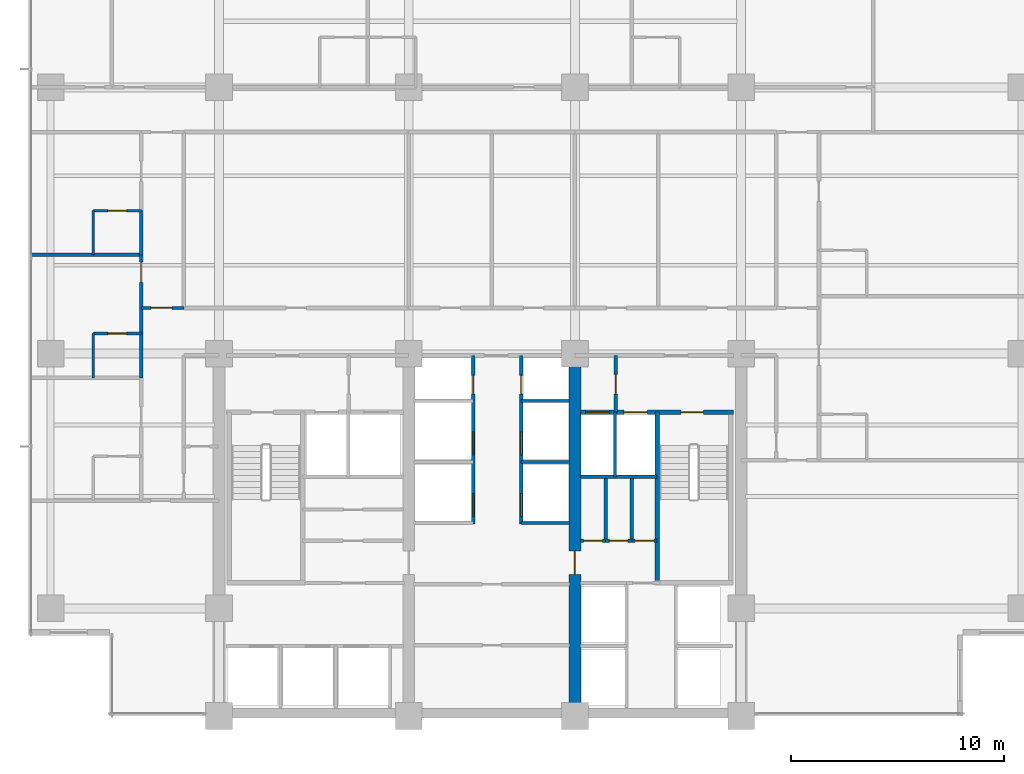
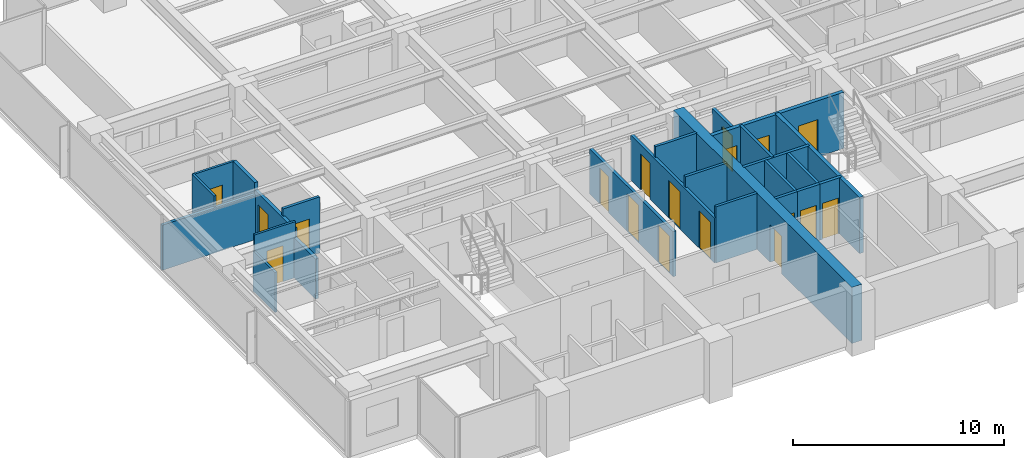
# One storey, part 9 of 17: 25 walls, 18 doors, 18 openings.
"""IFC4 building model written with IfcOpenShell, lengths in metres."""

import ifcopenshell
import ifcopenshell.guid

model = None  # the IFC model being written
_history = None  # IfcOwnerHistory: only IFC2X3 demands one
_inside = {}  # id of a spatial element -> (the spatial element, [elements in it])
_under = {}  # id of a project, library or spatial element -> (it, [spatial elements below it])
_declared = {}  # id of a project -> (the project, [libraries it declares])
_typed = {}  # id of a type object -> (the type object, [elements of that type])
_made_of = {}  # id of a material, layer set ... -> (it, [elements and type objects made of it])


def new_model(schema):
    """Start an empty IFC model of exactly this schema.

    Asked for "IFC4X3", IfcOpenShell would pick the latest addendum, in which some entities
    have other attributes; the version numbers below select the first issue.
    IFC2X3 requires an IfcOwnerHistory on every rooted entity: one is made here for all.
    """
    global model, _history
    if schema == "IFC4X3":
        model = ifcopenshell.file(schema_version=(4, 3, 0, 0))
    else:
        model = ifcopenshell.file(schema=schema)
    _inside.clear()
    _under.clear()
    _declared.clear()
    _typed.clear()
    _made_of.clear()
    _history = None
    if model.schema == "IFC2X3":
        org = make("IfcOrganization", Name="unknown")
        user = make(
            "IfcPersonAndOrganization",
            ThePerson=make("IfcPerson", FamilyName="unknown"),
            TheOrganization=org,
        )
        app = make(
            "IfcApplication",
            ApplicationDeveloper=org,
            Version="unknown",
            ApplicationFullName="unknown",
            ApplicationIdentifier="unknown",
        )
        _history = make(
            "IfcOwnerHistory",
            OwningUser=user,
            OwningApplication=app,
            ChangeAction="ADDED",
            CreationDate=0,
        )
    return model


def make(cls, **values):
    """One entity of the class cls with the attributes given. An attribute that is None is left unset."""
    return model.create_entity(
        cls, **{name: value for name, value in values.items() if value is not None}
    )


def rooted(cls, **values):
    """An entity with a GlobalId (a new one), such as an element, a storey or a relation."""
    return make(cls, GlobalId=ifcopenshell.guid.new(), OwnerHistory=_history, **values)


def si_unit(unit_type, name, prefix=None):
    """IfcSIUnit, for example si_unit("LENGTHUNIT", "METRE", prefix="MILLI")."""
    return make("IfcSIUnit", UnitType=unit_type, Prefix=prefix, Name=name)


def assignment(units):
    """IfcUnitAssignment: the units of a project."""
    return None if units is None else make("IfcUnitAssignment", Units=units)


def point(xyz):
    """IfcCartesianPoint."""
    return None if xyz is None else make("IfcCartesianPoint", Coordinates=xyz)


def direction(xyz):
    """IfcDirection."""
    return None if xyz is None else make("IfcDirection", DirectionRatios=xyz)


def frame(location, z_axis=None, x_axis=None):
    """IfcAxis2Placement3D, a coordinate frame: its origin and axes. An axis left out is left unset."""
    return make(
        "IfcAxis2Placement3D",
        Location=point(location),
        Axis=direction(z_axis),
        RefDirection=direction(x_axis),
    )


def frame_2d(location, x_axis=None):
    """IfcAxis2Placement2D, a coordinate frame in the plane: its origin and x axis."""
    return make(
        "IfcAxis2Placement2D", Location=point(location), RefDirection=direction(x_axis)
    )


def origin():
    """The frame at (0, 0, 0) with its axes left unset."""
    return frame((0.0, 0.0, 0.0))


def place(relative_to, where):
    """IfcLocalPlacement: puts the frame where relative to a parent placement (None: the world)."""
    return make(
        "IfcLocalPlacement", PlacementRelTo=relative_to, RelativePlacement=where
    )


def context(
    kind, dimensions, precision=None, world=None, true_north=None, identifier=None
):
    """IfcGeometricRepresentationContext, for example the 3D "Model" context."""
    return make(
        "IfcGeometricRepresentationContext",
        ContextIdentifier=identifier,
        ContextType=kind,
        CoordinateSpaceDimension=dimensions,
        Precision=precision,
        WorldCoordinateSystem=world,
        TrueNorth=true_north,
    )


def subcontext(parent, identifier, kind, view, scale=None):
    """IfcGeometricRepresentationSubContext, for example "Body" below "Model"."""
    return make(
        "IfcGeometricRepresentationSubContext",
        ContextIdentifier=identifier,
        ContextType=kind,
        ParentContext=parent,
        TargetScale=scale,
        TargetView=view,
    )


def project(units=None, contexts=None):
    """IfcProject with its units and contexts."""
    return rooted(
        "IfcProject",
        Name="project",
        RepresentationContexts=contexts,
        UnitsInContext=assignment(units),
    )


def spatial(cls, under=None, at=None, **own):
    """A site, building, storey or space (cls), placed at a placement, below another one or the project."""
    s = rooted(cls, ObjectPlacement=at, **own)
    if under is not None:
        _under.setdefault(under.id(), (under, []))[1].append(s)
    return s


def profile(cls, at=None, kind="AREA", **sizes):
    """A parametric profile (cls). Its sizes go by their IFC names, for example OverallWidth=200.0."""
    return make(cls, ProfileType=kind, Position=at, **sizes)


def rectangle(**sizes):
    """IfcRectangleProfileDef."""
    return profile("IfcRectangleProfileDef", **sizes)


def extrude(swept, where, along, depth):
    """IfcExtrudedAreaSolid: the profile swept, set in the frame where, extruded along a direction by depth."""
    return make(
        "IfcExtrudedAreaSolid",
        SweptArea=swept,
        Position=where,
        ExtrudedDirection=direction(along),
        Depth=depth,
    )


def shape(context_of_items, identifier, shape_type, items):
    """IfcShapeRepresentation: the items that make up one representation, for example the "Body"."""
    return make(
        "IfcShapeRepresentation",
        ContextOfItems=context_of_items,
        RepresentationIdentifier=identifier,
        RepresentationType=shape_type,
        Items=items,
    )


def material(Name=None, Category=None):
    """IfcMaterial."""
    return make("IfcMaterial", Name=Name, Category=Category)


def layer(
    of_material, thickness, ventilated=None, Name=None, Category=None, Priority=None
):
    """IfcMaterialLayer: one layer of a wall or slab, of a material (None: an air gap)."""
    return make(
        "IfcMaterialLayer",
        Material=of_material,
        LayerThickness=thickness,
        IsVentilated=ventilated,
        Name=Name,
        Category=Category,
        Priority=Priority,
    )


def layer_set(layers, Name=None):
    """IfcMaterialLayerSet."""
    return make("IfcMaterialLayerSet", MaterialLayers=layers, LayerSetName=Name)


def made_of(thing, what):
    """Note that an element or type object is made of a material, layer set ...; save() writes the relation."""
    if what is not None:
        _made_of.setdefault(what.id(), (what, []))[1].append(thing)
    return thing


def type_object(cls, material=None, **own):
    """A type object (cls), such as IfcWallType, which elements share."""
    return made_of(rooted(cls, **own), material)


def element(
    cls,
    number,
    at=None,
    inside=None,
    cuts=None,
    type_object=None,
    material=None,
    context=None,
    identifier="Body",
    shape_type=None,
    held_by="IfcProductDefinitionShape",
    body=None,
    shapes=None,
    **own,
):
    """One element of the class cls, such as IfcWall. Its Tag is "e" and its number.

    at: its placement. inside: the storey or other place that contains it. cuts: it is an
    opening in that element (IfcRelVoidsElement). A single representation is given by context,
    identifier, shape_type and body (its items); several are given by shapes. held_by: the class
    of the entity that holds the representations. save() writes the other relations.
    """
    e = rooted(cls, Tag="e%d" % number, ObjectPlacement=at, **own)
    if body is not None:
        shapes = [shape(context, identifier, shape_type, body)]
    if shapes is not None:
        e.Representation = make(held_by, Representations=shapes)
    if inside is not None:
        _inside.setdefault(inside.id(), (inside, []))[1].append(e)
    if cuts is not None:
        rooted(
            "IfcRelVoidsElement", RelatingBuildingElement=cuts, RelatedOpeningElement=e
        )
    if type_object is not None:
        _typed.setdefault(type_object.id(), (type_object, []))[1].append(e)
    return made_of(e, material)


def fill(opening, filler):
    """IfcRelFillsElement: the door or window that sits in an opening."""
    return rooted(
        "IfcRelFillsElement",
        RelatingOpeningElement=opening,
        RelatedBuildingElement=filler,
    )


def aggregate(whole, parts):
    """IfcRelAggregates: a whole, such as a stair, and the parts it consists of."""
    return rooted("IfcRelAggregates", RelatingObject=whole, RelatedObjects=parts)


def save(model, path):
    """Write the relations noted so far, then the file.

    IfcRelAggregates (storeys below a building ...), IfcRelContainedInSpatialStructure (elements
    in a storey), IfcRelDefinesByType, IfcRelAssociatesMaterial and IfcRelDeclares: one each for
    every whole, place, type object, material and project.
    """
    for whole, parts in _under.values():
        aggregate(whole, parts)
    for where, things in _inside.values():
        rooted(
            "IfcRelContainedInSpatialStructure",
            RelatedElements=things,
            RelatingStructure=where,
        )
    for kind, things in _typed.values():
        rooted("IfcRelDefinesByType", RelatedObjects=things, RelatingType=kind)
    for what, things in _made_of.values():
        rooted("IfcRelAssociatesMaterial", RelatedObjects=things, RelatingMaterial=what)
    for by, libraries in _declared.values():
        rooted("IfcRelDeclares", RelatingContext=by, RelatedDefinitions=libraries)
    model.write(path)


model = new_model("IFC4")

# Units and contexts
model_context = context("Model", 3, precision=1e-05, world=origin(), true_north=direction((0.0, 1.0)))
body_context = subcontext(model_context, "Body", "Model", "MODEL_VIEW")
ifc_project = project(units=[si_unit("LENGTHUNIT", "METRE"), si_unit("AREAUNIT", "SQUARE_METRE"), si_unit("VOLUMEUNIT", "CUBIC_METRE"), si_unit("PLANEANGLEUNIT", "RADIAN"), si_unit("MASSUNIT", "GRAM", prefix="KILO")], contexts=[model_context])

# Site, building, storey
site_placement = place(None, origin())
site = spatial("IfcSite", under=ifc_project, at=site_placement, CompositionType="ELEMENT")
building_placement = place(site_placement, origin())
building = spatial("IfcBuilding", under=site, at=building_placement, Name="Qalmaran Belvedere Hotel", CompositionType="ELEMENT")
storey_placement = place(building_placement, frame((0.0, 0.0, 119.699951171875)))
storey = spatial("IfcBuildingStorey", under=building, at=storey_placement, Name="L30", CompositionType="ELEMENT", Elevation=119.699951171875)

# Wall, opening, door
ifc_material_1 = material(Name="Concrete C60/75", Category="concrete")
ifc_layer_1 = layer(ifc_material_1, 0.550048828125, Name="Concrete C60/75")
ifc_layer_set_1 = layer_set([ifc_layer_1], Name="Concrete C60/75")
wall_type_1 = type_object("IfcWallType", Name="WL-CORE-550-C60", PredefinedType="SHEAR", material=ifc_layer_set_1)
wall_1_placement = place(storey_placement, frame((37.0, 3.5, 0.0), z_axis=(0.0, 0.0, 1.0), x_axis=(0.0, 1.0, 0.0)))
wall_1 = element("IfcWall", 1, at=wall_1_placement, inside=storey, type_object=wall_type_1, Name="L30 Core East Spine Shear Wall", PredefinedType="SHEAR", context=body_context, shape_type="SweptSolid", body=[
    extrude(rectangle(XDim=16.89990234375, YDim=0.550048828125, at=frame_2d((8.449951171875, 0.0))), origin(), (0.0, 0.0, 1.0), 3.239990234375),
])
opening_1_placement = place(wall_1_placement, frame((6.64990234375, 0.0, 0.0)))
opening_1 = element("IfcOpeningElement", 2, at=opening_1_placement, cuts=wall_1, Name="Opening FD90", PredefinedType="OPENING", context=body_context, shape_type="SweptSolid", body=[
    extrude(rectangle(XDim=1.10009765625, YDim=2.14990234375, at=frame_2d((0.550048828125, 1.074951171875))), frame((0.0, 0.28515625, 0.0), z_axis=(0.0, -1.0, 0.0), x_axis=(1.0, 0.0, 0.0)), (0.0, 0.0, 1.0), 0.570068359375),
])
ifc_material_2 = material(Name="Steel S355JR", Category="steel")
door_type_1 = type_object("IfcDoorType", Name="DR-FD90-1100X2150", OperationType="NOTDEFINED", PredefinedType="DOOR", material=ifc_material_2)
door_1_placement = place(opening_1_placement, origin())
door_1 = element("IfcDoor", 3, at=door_1_placement, inside=storey, type_object=door_type_1, Name="L30 Core East Cross-Lobby Door", OperationType="SINGLE_SWING_LEFT", OverallHeight=2.14990234375, OverallWidth=1.10009765625, PredefinedType="DOOR", context=body_context, shape_type="SweptSolid", body=[
    extrude(rectangle(XDim=1.10009765625, YDim=2.14990234375, at=frame_2d((0.550048828125, 1.074951171875))), frame((0.0, 0.02490234375, 0.0), z_axis=(0.0, -1.0, 0.0), x_axis=(1.0, 0.0, 0.0)), (0.0, 0.0, 1.0), 0.050048828125),
])
fill(opening_1, door_1)

ifc_material_3 = material(Name="Moisture-Resistant Gypsum")
ifc_layer_2 = layer(ifc_material_3, 0.1201171875, Name="Moisture-Resistant Gypsum")
ifc_layer_set_2 = layer_set([ifc_layer_2], Name="Moisture-Resistant Gypsum")
wall_type_2 = type_object("IfcWallType", Name="WL-INT-120-BATH", PredefinedType="PARTITIONING", material=ifc_layer_set_2)
wall_2_placement = place(storey_placement, frame((14.39990234375, 21.44677734375, 0.0), z_axis=(0.0, 0.0, 1.0), x_axis=(1.0, 0.0, 0.0)))
wall_2 = element("IfcWall", 4, at=wall_2_placement, inside=storey, type_object=wall_type_2, Name="L30 Partition WL-L30-WBN01", PredefinedType="PARTITIONING", context=body_context, shape_type="SweptSolid", body=[
    extrude(rectangle(XDim=2.25, YDim=0.1201171875, at=frame_2d((1.125, 0.0))), origin(), (0.0, 0.0, 1.0), 3.239990234375),
])
opening_2_placement = place(wall_2_placement, frame((1.56494140625, 0.0, 0.0), z_axis=(0.0, 0.0, 1.0), x_axis=(-1.0, 0.0, 0.0)))
opening_2 = element("IfcOpeningElement", 5, at=opening_2_placement, cuts=wall_2, Name="Opening D-BATH", PredefinedType="OPENING", context=body_context, shape_type="SweptSolid", body=[
    extrude(rectangle(XDim=0.8798828125, YDim=2.080078125, at=frame_2d((0.43994140625, 1.0400390625))), frame((0.0, 0.070068359375, 0.0), z_axis=(0.0, -1.0, 0.0), x_axis=(1.0, 0.0, 0.0)), (0.0, 0.0, 1.0), 0.14013671875),
])
ifc_material_4 = material(Name="Engineered Oak Veneer")
door_type_2 = type_object("IfcDoorType", Name="DR-INT-BATH-880X2080", OperationType="NOTDEFINED", PredefinedType="DOOR", material=ifc_material_4)
door_2_placement = place(opening_2_placement, origin())
door_2 = element("IfcDoor", 6, at=door_2_placement, inside=storey, type_object=door_type_2, Name="L30 W Ensuite Door 02", OperationType="SINGLE_SWING_LEFT", OverallHeight=2.080078125, OverallWidth=0.8798828125, PredefinedType="DOOR", context=body_context, shape_type="SweptSolid", body=[
    extrude(rectangle(XDim=0.8798828125, YDim=2.080078125, at=frame_2d((0.43994140625, 1.0400390625))), frame((0.0, 0.02490234375, 0.0), z_axis=(0.0, -1.0, 0.0), x_axis=(1.0, 0.0, 0.0)), (0.0, 0.0, 1.0), 0.050048828125),
])
fill(opening_2, door_2)

# Wall
wall_3_placement = place(storey_placement, frame((14.39990234375, 19.36669921875, 0.0), z_axis=(0.0, 0.0, 1.0), x_axis=(0.0, 1.0, 0.0)))
element("IfcWall", 7, at=wall_3_placement, inside=storey, type_object=wall_type_2, Name="L30 Partition WL-L30-WBS01", PredefinedType="PARTITIONING", context=body_context, shape_type="SweptSolid", body=[
    extrude(rectangle(XDim=2.080078125, YDim=0.1201171875, at=frame_2d((1.0400390625, 0.0))), origin(), (0.0, 0.0, 1.0), 2.31298828125),
])

# Wall, opening, door
wall_4_placement = place(storey_placement, frame((14.39990234375, 27.21337890625, 0.0), z_axis=(0.0, 0.0, 1.0), x_axis=(1.0, 0.0, 0.0)))
wall_4 = element("IfcWall", 8, at=wall_4_placement, inside=storey, type_object=wall_type_2, Name="L30 Partition WL-L30-WBN02", PredefinedType="PARTITIONING", context=body_context, shape_type="SweptSolid", body=[
    extrude(rectangle(XDim=2.25, YDim=0.1201171875, at=frame_2d((1.125, 0.0))), origin(), (0.0, 0.0, 1.0), 3.239990234375),
])
opening_3_placement = place(wall_4_placement, frame((1.56494140625, 0.0, 0.0), z_axis=(0.0, 0.0, 1.0), x_axis=(-1.0, 0.0, 0.0)))
opening_3 = element("IfcOpeningElement", 9, at=opening_3_placement, cuts=wall_4, Name="Opening D-BATH", PredefinedType="OPENING", context=body_context, shape_type="SweptSolid", body=[
    extrude(rectangle(XDim=0.8798828125, YDim=2.080078125, at=frame_2d((0.43994140625, 1.0400390625))), frame((0.0, 0.070068359375, 0.0), z_axis=(0.0, -1.0, 0.0), x_axis=(1.0, 0.0, 0.0)), (0.0, 0.0, 1.0), 0.14013671875),
])
door_3_placement = place(opening_3_placement, origin())
door_3 = element("IfcDoor", 10, at=door_3_placement, inside=storey, type_object=door_type_2, Name="L30 W Ensuite Door 03", OperationType="SINGLE_SWING_LEFT", OverallHeight=2.080078125, OverallWidth=0.8798828125, PredefinedType="DOOR", context=body_context, shape_type="SweptSolid", body=[
    extrude(rectangle(XDim=0.8798828125, YDim=2.080078125, at=frame_2d((0.43994140625, 1.0400390625))), frame((0.0, 0.02490234375, 0.0), z_axis=(0.0, -1.0, 0.0), x_axis=(1.0, 0.0, 0.0)), (0.0, 0.0, 1.0), 0.050048828125),
])
fill(opening_3, door_3)

# Walls
wall_5_placement = place(storey_placement, frame((14.39990234375, 25.13330078125, 0.0), z_axis=(0.0, 0.0, 1.0), x_axis=(0.0, 1.0, 0.0)))
element("IfcWall", 11, at=wall_5_placement, inside=storey, type_object=wall_type_2, Name="L30 Partition WL-L30-WBS02", PredefinedType="PARTITIONING", context=body_context, shape_type="SweptSolid", body=[
    extrude(rectangle(XDim=2.080078125, YDim=0.1201171875, at=frame_2d((1.0400390625, 0.0))), origin(), (0.0, 0.0, 1.0), 3.239990234375),
])
ifc_material_5 = material(Name="Gypsum Stud Partition")
ifc_layer_3 = layer(ifc_material_5, 0.14990234375, Name="Gypsum Stud Partition")
ifc_layer_set_3 = layer_set([ifc_layer_3], Name="Gypsum Stud Partition")
wall_type_3 = type_object("IfcWallType", Name="WL-INT-150-EI120", PredefinedType="PARTITIONING", material=ifc_layer_set_3)
wall_6_placement = place(storey_placement, frame((38.8798828125, 14.719970703125, 0.0), z_axis=(0.0, 0.0, 1.0), x_axis=(0.0, 1.0, 0.0)))
element("IfcWall", 12, at=wall_6_placement, inside=storey, type_object=wall_type_3, Name="L30 Partition WL-FF2M-L30", PredefinedType="PARTITIONING", context=body_context, shape_type="SweptSolid", body=[
    extrude(rectangle(XDim=3.0400390625, YDim=0.14990234375, at=frame_2d((1.52001953125, 0.0))), origin(), (0.0, 0.0, 1.0), 3.239990234375),
])
for number, where, z_axis, x_axis, name in (
    (13, (34.47998046875, 12.550048828125, 0.0), (0.0, 0.0, 1.0), (1.0, 0.0, 0.0), "L30 Partition WL-PME-L30-125"),
    (14, (34.47998046875, 15.419921875, 0.0), (0.0, 0.0, 1.0), (1.0, 0.0, 0.0), "L30 Partition WL-PME-L30-154"),
    (15, (34.47998046875, 18.280029296875, 0.0), (0.0, 0.0, 1.0), (1.0, 0.0, 0.0), "L30 Partition WL-PME-L30-182"),
):
    element("IfcWall", number, at=place(storey_placement, frame(where, z_axis=z_axis, x_axis=x_axis)), inside=storey, type_object=wall_type_3, Name=name, PredefinedType="PARTITIONING", context=body_context, shape_type="SweptSolid", body=[
        extrude(rectangle(XDim=2.27001953125, YDim=0.14990234375, at=frame_2d((1.135009765625, 0.0))), origin(), (0.0, 0.0, 1.0), 3.239990234375),
    ])
ifc_layer_4 = layer(ifc_material_5, 0.14990234375, Name="Gypsum Stud Partition")
ifc_layer_set_4 = layer_set([ifc_layer_4], Name="Gypsum Stud Partition")
wall_type_4 = type_object("IfcWallType", Name="WL-INT-150-EI60", PredefinedType="PARTITIONING", material=ifc_layer_set_4)
for number, where, z_axis, x_axis, name in (
    (16, (38.44140625, 11.719970703125, 0.0), (0.0, 0.0, 1.0), (0.0, 1.0, 0.0), "L30 Partition WL-L30-KEV1"),
    (17, (39.668701171875, 11.719970703125, 0.0), (0.0, 0.0, 1.0), (0.0, 1.0, 0.0), "L30 Partition WL-L30-KEV2"),
):
    element("IfcWall", number, at=place(storey_placement, frame(where, z_axis=z_axis, x_axis=x_axis)), inside=storey, type_object=wall_type_4, Name=name, PredefinedType="PARTITIONING", context=body_context, shape_type="SweptSolid", body=[
        extrude(rectangle(XDim=2.929931640625, YDim=0.14990234375, at=frame_2d((1.46484375, 0.0))), origin(), (0.0, 0.0, 1.0), 3.239990234375),
    ])

# Wall, opening, door
wall_7_placement = place(storey_placement, frame((16.64990234375, 22.64990234375, 0.0), z_axis=(0.0, 0.0, 1.0), x_axis=(1.0, 0.0, 0.0)))
wall_7 = element("IfcWall", 18, at=wall_7_placement, inside=storey, type_object=wall_type_4, Name="L30 Partition WL-L30-XCW1", PredefinedType="PARTITIONING", context=body_context, shape_type="SweptSolid", body=[
    extrude(rectangle(XDim=2.0, YDim=0.14990234375, at=frame_2d((1.0, 0.0))), origin(), (0.0, 0.0, 1.0), 3.239990234375),
])
opening_4_placement = place(wall_7_placement, frame((0.449951171875, 0.0, 0.0)))
opening_4 = element("IfcOpeningElement", 19, at=opening_4_placement, cuts=wall_7, Name="Opening FD90B", PredefinedType="OPENING", context=body_context, shape_type="SweptSolid", body=[
    extrude(rectangle(XDim=1.0, YDim=2.14990234375, at=frame_2d((0.5, 1.074951171875))), frame((0.0, 0.0849609375, 0.0), z_axis=(0.0, -1.0, 0.0), x_axis=(1.0, 0.0, 0.0)), (0.0, 0.0, 1.0), 0.169921875),
])
door_type_3 = type_object("IfcDoorType", Name="DR-FD90B-1000X2150", OperationType="NOTDEFINED", PredefinedType="DOOR", material=ifc_material_2)
door_4_placement = place(opening_4_placement, origin())
door_4 = element("IfcDoor", 20, at=door_4_placement, inside=storey, type_object=door_type_3, Name="L30 West Corridor Smoke Door S", OperationType="SINGLE_SWING_RIGHT", OverallHeight=2.14990234375, OverallWidth=1.0, PredefinedType="DOOR", context=body_context, shape_type="SweptSolid", body=[
    extrude(rectangle(XDim=1.0, YDim=2.14990234375, at=frame_2d((0.5, 1.074951171875))), frame((0.0, 0.02490234375, 0.0), z_axis=(0.0, -1.0, 0.0), x_axis=(1.0, 0.0, 0.0)), (0.0, 0.0, 1.0), 0.050048828125),
])
fill(opening_4, door_4)

ifc_layer_5 = layer(ifc_material_5, 0.159912109375, Name="Gypsum Stud Partition")
ifc_layer_set_5 = layer_set([ifc_layer_5], Name="Gypsum Stud Partition")
wall_type_5 = type_object("IfcWallType", Name="WL-INT-160-EI120", PredefinedType="PARTITIONING", material=ifc_layer_set_5)
wall_8_placement = place(storey_placement, frame((38.919921875, 17.760009765625, 0.0), z_axis=(0.0, 0.0, 1.0), x_axis=(0.0, 1.0, 0.0)))
wall_8 = element("IfcWall", 21, at=wall_8_placement, inside=storey, type_object=wall_type_5, Name="L30 Partition WL-FFSV2-L30", PredefinedType="PARTITIONING", context=body_context, shape_type="SweptSolid", body=[
    extrude(rectangle(XDim=2.659912109375, YDim=0.159912109375, at=frame_2d((1.330078125, 0.0))), origin(), (0.0, 0.0, 1.0), 2.614013671875),
])
opening_5_placement = place(wall_8_placement, frame((1.77001953125, 0.0, 0.0), z_axis=(0.0, 0.0, 1.0), x_axis=(-1.0, 0.0, 0.0)))
opening_5 = element("IfcOpeningElement", 22, at=opening_5_placement, cuts=wall_8, Name="Opening FD60S1", PredefinedType="OPENING", context=body_context, shape_type="SweptSolid", body=[
    extrude(rectangle(XDim=0.919921875, YDim=2.080078125, at=frame_2d((0.4599609375, 1.0400390625))), frame((0.0, 0.08984375, 0.0), z_axis=(0.0, -1.0, 0.0), x_axis=(1.0, 0.0, 0.0)), (0.0, 0.0, 1.0), 0.179931640625),
])
door_type_4 = type_object("IfcDoorType", Name="DR-FD60S-920X2080", OperationType="NOTDEFINED", PredefinedType="DOOR", material=ifc_material_4)
door_5_placement = place(opening_5_placement, origin())
door_5 = element("IfcDoor", 23, at=door_5_placement, inside=storey, type_object=door_type_4, Name="L30 Service Lobby East Door", OperationType="SINGLE_SWING_LEFT", OverallHeight=2.080078125, OverallWidth=0.919921875, PredefinedType="DOOR", context=body_context, shape_type="SweptSolid", body=[
    extrude(rectangle(XDim=0.919921875, YDim=2.080078125, at=frame_2d((0.4599609375, 1.0400390625))), frame((0.0, 0.02490234375, 0.0), z_axis=(0.0, -1.0, 0.0), x_axis=(1.0, 0.0, 0.0)), (0.0, 0.0, 1.0), 0.050048828125),
])
fill(opening_5, door_5)

# Wall
wall_9_placement = place(storey_placement, frame((37.25, 14.719970703125, 0.0), z_axis=(0.0, 0.0, 1.0), x_axis=(1.0, 0.0, 0.0)))
element("IfcWall", 24, at=wall_9_placement, inside=storey, type_object=wall_type_5, Name="L30 Partition WL-FF2S-L30", PredefinedType="PARTITIONING", context=body_context, shape_type="SweptSolid", body=[
    extrude(rectangle(XDim=3.610107421875, YDim=0.159912109375, at=frame_2d((1.80517578125, 0.0))), origin(), (0.0, 0.0, 1.0), 3.239990234375),
])

# Wall, openings, doors
wall_10_placement = place(storey_placement, frame((32.219970703125, 12.5, 0.0), z_axis=(0.0, 0.0, 1.0), x_axis=(0.0, 1.0, 0.0)))
wall_10 = element("IfcWall", 25, at=wall_10_placement, inside=storey, type_object=wall_type_5, Name="L30 Partition WL-CLBWN-L30", PredefinedType="PARTITIONING", context=body_context, shape_type="SweptSolid", body=[
    extrude(rectangle(XDim=7.919921875, YDim=0.159912109375, at=frame_2d((3.9599609375, 0.0))), origin(), (0.0, 0.0, 1.0), 2.614013671875),
])
opening_6_placement = place(wall_10_placement, frame((1.43017578125, 0.0, 0.0), z_axis=(0.0, 0.0, 1.0), x_axis=(-1.0, 0.0, 0.0)))
opening_6 = element("IfcOpeningElement", 26, at=opening_6_placement, cuts=wall_10, Name="Opening LD-P1", PredefinedType="OPENING", context=body_context, shape_type="SweptSolid", body=[
    extrude(rectangle(XDim=1.080078125, YDim=2.159912109375, at=frame_2d((0.5400390625, 1.080078125))), frame((0.0, 0.08984375, 0.0), z_axis=(0.0, -1.0, 0.0), x_axis=(1.0, 0.0, 0.0)), (0.0, 0.0, 1.0), 0.179931640625),
])
opening_7_placement = place(wall_10_placement, frame((4.330078125, 0.0, 0.0), z_axis=(0.0, 0.0, 1.0), x_axis=(-1.0, 0.0, 0.0)))
opening_7 = element("IfcOpeningElement", 27, at=opening_7_placement, cuts=wall_10, Name="Opening LD-P1", PredefinedType="OPENING", context=body_context, shape_type="SweptSolid", body=[
    extrude(rectangle(XDim=1.080078125, YDim=2.159912109375, at=frame_2d((0.5400390625, 1.080078125))), frame((0.0, 0.08984375, 0.0), z_axis=(0.0, -1.0, 0.0), x_axis=(1.0, 0.0, 0.0)), (0.0, 0.0, 1.0), 0.179931640625),
])
opening_8_placement = place(wall_10_placement, frame((6.10009765625, 0.0, 0.0)))
opening_8 = element("IfcOpeningElement", 28, at=opening_8_placement, cuts=wall_10, Name="Opening FD60B", PredefinedType="OPENING", context=body_context, shape_type="SweptSolid", body=[
    extrude(rectangle(XDim=0.8798828125, YDim=2.080078125, at=frame_2d((0.43994140625, 1.0400390625))), frame((0.0, 0.08984375, 0.0), z_axis=(0.0, -1.0, 0.0), x_axis=(1.0, 0.0, 0.0)), (0.0, 0.0, 1.0), 0.179931640625),
])
door_type_5 = type_object("IfcDoorType", Name="DR-FD60B-880X2080", OperationType="NOTDEFINED", PredefinedType="DOOR", material=ifc_material_2)
door_6_placement = place(opening_8_placement, origin())
door_6 = element("IfcDoor", 29, at=door_6_placement, inside=storey, type_object=door_type_5, Name="L30 West Riser Access Door", OperationType="SINGLE_SWING_RIGHT", OverallHeight=2.080078125, OverallWidth=0.8798828125, PredefinedType="DOOR", context=body_context, shape_type="SweptSolid", body=[
    extrude(rectangle(XDim=0.8798828125, YDim=2.080078125, at=frame_2d((0.43994140625, 1.0400390625))), frame((0.0, 0.02490234375, 0.0), z_axis=(0.0, -1.0, 0.0), x_axis=(1.0, 0.0, 0.0)), (0.0, 0.0, 1.0), 0.050048828125),
])
fill(opening_8, door_6)
ifc_material_6 = material(Name="Stainless Steel 1.4401", Category="steel")
door_type_6 = type_object("IfcDoorType", Name="DR-LIFT-P1-1080X2160", OperationType="DOUBLE_DOOR_SLIDING", PredefinedType="DOOR", material=ifc_material_6)
door_7_placement = place(opening_6_placement, origin())
door_7 = element("IfcDoor", 30, at=door_7_placement, inside=storey, type_object=door_type_6, Name="L30 PM1 Lift Landing Door", OperationType="DOUBLE_DOOR_SLIDING", OverallHeight=2.159912109375, OverallWidth=1.080078125, PredefinedType="DOOR", context=body_context, shape_type="SweptSolid", body=[
    extrude(rectangle(XDim=1.080078125, YDim=2.159912109375, at=frame_2d((0.5400390625, 1.080078125))), frame((0.0, 0.02490234375, 0.0), z_axis=(0.0, -1.0, 0.0), x_axis=(1.0, 0.0, 0.0)), (0.0, 0.0, 1.0), 0.050048828125),
])
fill(opening_6, door_7)
door_8_placement = place(opening_7_placement, origin())
door_8 = element("IfcDoor", 31, at=door_8_placement, inside=storey, type_object=door_type_6, Name="L30 PM2 Lift Landing Door", OperationType="DOUBLE_DOOR_SLIDING", OverallHeight=2.159912109375, OverallWidth=1.080078125, PredefinedType="DOOR", context=body_context, shape_type="SweptSolid", body=[
    extrude(rectangle(XDim=1.080078125, YDim=2.159912109375, at=frame_2d((0.5400390625, 1.080078125))), frame((0.0, 0.02490234375, 0.0), z_axis=(0.0, -1.0, 0.0), x_axis=(1.0, 0.0, 0.0)), (0.0, 0.0, 1.0), 0.050048828125),
])
fill(opening_7, door_8)

wall_11_placement = place(storey_placement, frame((34.47998046875, 12.5, 0.0), z_axis=(0.0, 0.0, 1.0), x_axis=(0.0, 1.0, 0.0)))
wall_11 = element("IfcWall", 32, at=wall_11_placement, inside=storey, type_object=wall_type_5, Name="L30 Partition WL-CLBEN-L30", PredefinedType="PARTITIONING", context=body_context, shape_type="SweptSolid", body=[
    extrude(rectangle(XDim=7.919921875, YDim=0.159912109375, at=frame_2d((3.9599609375, 0.0))), origin(), (0.0, 0.0, 1.0), 2.614013671875),
])
opening_9_placement = place(wall_11_placement, frame((0.35009765625, 0.0, 0.0)))
opening_9 = element("IfcOpeningElement", 33, at=opening_9_placement, cuts=wall_11, Name="Opening LD-P1", PredefinedType="OPENING", context=body_context, shape_type="SweptSolid", body=[
    extrude(rectangle(XDim=1.080078125, YDim=2.159912109375, at=frame_2d((0.5400390625, 1.080078125))), frame((0.0, 0.08984375, 0.0), z_axis=(0.0, -1.0, 0.0), x_axis=(1.0, 0.0, 0.0)), (0.0, 0.0, 1.0), 0.179931640625),
])
opening_10_placement = place(wall_11_placement, frame((3.25, 0.0, 0.0)))
opening_10 = element("IfcOpeningElement", 34, at=opening_10_placement, cuts=wall_11, Name="Opening LD-P1", PredefinedType="OPENING", context=body_context, shape_type="SweptSolid", body=[
    extrude(rectangle(XDim=1.080078125, YDim=2.159912109375, at=frame_2d((0.5400390625, 1.080078125))), frame((0.0, 0.08984375, 0.0), z_axis=(0.0, -1.0, 0.0), x_axis=(1.0, 0.0, 0.0)), (0.0, 0.0, 1.0), 0.179931640625),
])
opening_11_placement = place(wall_11_placement, frame((6.97998046875, 0.0, 0.0), z_axis=(0.0, 0.0, 1.0), x_axis=(-1.0, 0.0, 0.0)))
opening_11 = element("IfcOpeningElement", 35, at=opening_11_placement, cuts=wall_11, Name="Opening FD60B", PredefinedType="OPENING", context=body_context, shape_type="SweptSolid", body=[
    extrude(rectangle(XDim=0.8798828125, YDim=2.080078125, at=frame_2d((0.43994140625, 1.0400390625))), frame((0.0, 0.08984375, 0.0), z_axis=(0.0, -1.0, 0.0), x_axis=(1.0, 0.0, 0.0)), (0.0, 0.0, 1.0), 0.179931640625),
])
door_9_placement = place(opening_11_placement, origin())
door_9 = element("IfcDoor", 36, at=door_9_placement, inside=storey, type_object=door_type_5, Name="L30 East Riser Access Door", OperationType="SINGLE_SWING_LEFT", OverallHeight=2.080078125, OverallWidth=0.8798828125, PredefinedType="DOOR", context=body_context, shape_type="SweptSolid", body=[
    extrude(rectangle(XDim=0.8798828125, YDim=2.080078125, at=frame_2d((0.43994140625, 1.0400390625))), frame((0.0, 0.02490234375, 0.0), z_axis=(0.0, -1.0, 0.0), x_axis=(1.0, 0.0, 0.0)), (0.0, 0.0, 1.0), 0.050048828125),
])
fill(opening_11, door_9)
door_10_placement = place(opening_9_placement, origin())
door_10 = element("IfcDoor", 37, at=door_10_placement, inside=storey, type_object=door_type_6, Name="L30 PM3 Lift Landing Door", OperationType="DOUBLE_DOOR_SLIDING", OverallHeight=2.159912109375, OverallWidth=1.080078125, PredefinedType="DOOR", context=body_context, shape_type="SweptSolid", body=[
    extrude(rectangle(XDim=1.080078125, YDim=2.159912109375, at=frame_2d((0.5400390625, 1.080078125))), frame((0.0, 0.02490234375, 0.0), z_axis=(0.0, -1.0, 0.0), x_axis=(1.0, 0.0, 0.0)), (0.0, 0.0, 1.0), 0.050048828125),
])
fill(opening_9, door_10)
door_11_placement = place(opening_10_placement, origin())
door_11 = element("IfcDoor", 38, at=door_11_placement, inside=storey, type_object=door_type_6, Name="L30 PM4 Lift Landing Door", OperationType="DOUBLE_DOOR_SLIDING", OverallHeight=2.159912109375, OverallWidth=1.080078125, PredefinedType="DOOR", context=body_context, shape_type="SweptSolid", body=[
    extrude(rectangle(XDim=1.080078125, YDim=2.159912109375, at=frame_2d((0.5400390625, 1.080078125))), frame((0.0, 0.02490234375, 0.0), z_axis=(0.0, -1.0, 0.0), x_axis=(1.0, 0.0, 0.0)), (0.0, 0.0, 1.0), 0.050048828125),
])
fill(opening_10, door_11)

# Wall, opening, door
ifc_layer_6 = layer(ifc_material_5, 0.159912109375, Name="Gypsum Stud Partition")
ifc_layer_set_6 = layer_set([ifc_layer_6], Name="Gypsum Stud Partition")
wall_type_6 = type_object("IfcWallType", Name="WL-INT-160-EI60", PredefinedType="PARTITIONING", material=ifc_layer_set_6)
wall_12_placement = place(storey_placement, frame((37.25, 11.719970703125, 0.0), z_axis=(0.0, 0.0, 1.0), x_axis=(1.0, 0.0, 0.0)))
wall_12 = element("IfcWall", 39, at=wall_12_placement, inside=storey, type_object=wall_type_6, Name="L30 Partition WL-L30-KEE1", PredefinedType="PARTITIONING", context=body_context, shape_type="SweptSolid", body=[
    extrude(rectangle(XDim=1.19140625, YDim=0.159912109375, at=frame_2d((0.595703125, 0.0))), origin(), (0.0, 0.0, 1.0), 3.239990234375),
])
opening_12_placement = place(wall_12_placement, frame((0.155517578125, 0.0, 0.0)))
opening_12 = element("IfcOpeningElement", 40, at=opening_12_placement, cuts=wall_12, Name="Opening FD60B", PredefinedType="OPENING", context=body_context, shape_type="SweptSolid", body=[
    extrude(rectangle(XDim=0.8798828125, YDim=2.080078125, at=frame_2d((0.43994140625, 1.0400390625))), frame((0.0, 0.08984375, 0.0), z_axis=(0.0, -1.0, 0.0), x_axis=(1.0, 0.0, 0.0)), (0.0, 0.0, 1.0), 0.179931640625),
])
door_12_placement = place(opening_12_placement, origin())
door_12 = element("IfcDoor", 41, at=door_12_placement, inside=storey, type_object=door_type_5, Name="L30 Hotel Linen Closet Door", OperationType="SINGLE_SWING_LEFT", OverallHeight=2.080078125, OverallWidth=0.8798828125, PredefinedType="DOOR", context=body_context, shape_type="SweptSolid", body=[
    extrude(rectangle(XDim=0.8798828125, YDim=2.080078125, at=frame_2d((0.43994140625, 1.0400390625))), frame((0.0, 0.02490234375, 0.0), z_axis=(0.0, -1.0, 0.0), x_axis=(1.0, 0.0, 0.0)), (0.0, 0.0, 1.0), 0.050048828125),
])
fill(opening_12, door_12)

wall_13_placement = place(storey_placement, frame((38.44140625, 11.719970703125, 0.0), z_axis=(0.0, 0.0, 1.0), x_axis=(1.0, 0.0, 0.0)))
wall_13 = element("IfcWall", 42, at=wall_13_placement, inside=storey, type_object=wall_type_6, Name="L30 Partition WL-L30-KEE2", PredefinedType="PARTITIONING", context=body_context, shape_type="SweptSolid", body=[
    extrude(rectangle(XDim=1.227294921875, YDim=0.159912109375, at=frame_2d((0.61376953125, 0.0))), origin(), (0.0, 0.0, 1.0), 3.239990234375),
])
opening_13_placement = place(wall_13_placement, frame((0.173583984375, 0.0, 0.0)))
opening_13 = element("IfcOpeningElement", 43, at=opening_13_placement, cuts=wall_13, Name="Opening FD60B", PredefinedType="OPENING", context=body_context, shape_type="SweptSolid", body=[
    extrude(rectangle(XDim=0.8798828125, YDim=2.080078125, at=frame_2d((0.43994140625, 1.0400390625))), frame((0.0, 0.08984375, 0.0), z_axis=(0.0, -1.0, 0.0), x_axis=(1.0, 0.0, 0.0)), (0.0, 0.0, 1.0), 0.179931640625),
])
door_13_placement = place(opening_13_placement, origin())
door_13 = element("IfcDoor", 44, at=door_13_placement, inside=storey, type_object=door_type_5, Name="L30 Guest Ice and Beverage Pantry Door", OperationType="SINGLE_SWING_RIGHT", OverallHeight=2.080078125, OverallWidth=0.8798828125, PredefinedType="DOOR", context=body_context, shape_type="SweptSolid", body=[
    extrude(rectangle(XDim=0.8798828125, YDim=2.080078125, at=frame_2d((0.43994140625, 1.0400390625))), frame((0.0, 0.02490234375, 0.0), z_axis=(0.0, -1.0, 0.0), x_axis=(1.0, 0.0, 0.0)), (0.0, 0.0, 1.0), 0.050048828125),
])
fill(opening_13, door_13)

wall_14_placement = place(storey_placement, frame((39.668701171875, 11.719970703125, 0.0), z_axis=(0.0, 0.0, 1.0), x_axis=(1.0, 0.0, 0.0)))
wall_14 = element("IfcWall", 45, at=wall_14_placement, inside=storey, type_object=wall_type_6, Name="L30 Partition WL-L30-KEE3", PredefinedType="PARTITIONING", context=body_context, shape_type="SweptSolid", body=[
    extrude(rectangle(XDim=1.19140625, YDim=0.159912109375, at=frame_2d((0.595703125, 0.0))), origin(), (0.0, 0.0, 1.0), 3.239990234375),
])
opening_14_placement = place(wall_14_placement, frame((0.155517578125, 0.0, 0.0)))
opening_14 = element("IfcOpeningElement", 46, at=opening_14_placement, cuts=wall_14, Name="Opening FD60B", PredefinedType="OPENING", context=body_context, shape_type="SweptSolid", body=[
    extrude(rectangle(XDim=0.8798828125, YDim=2.080078125, at=frame_2d((0.43994140625, 1.0400390625))), frame((0.0, 0.08984375, 0.0), z_axis=(0.0, -1.0, 0.0), x_axis=(1.0, 0.0, 0.0)), (0.0, 0.0, 1.0), 0.179931640625),
])
door_14_placement = place(opening_14_placement, origin())
door_14 = element("IfcDoor", 47, at=door_14_placement, inside=storey, type_object=door_type_5, Name="L30 Cleaner Equipment Store Door", OperationType="SINGLE_SWING_LEFT", OverallHeight=2.080078125, OverallWidth=0.8798828125, PredefinedType="DOOR", context=body_context, shape_type="SweptSolid", body=[
    extrude(rectangle(XDim=0.8798828125, YDim=2.080078125, at=frame_2d((0.43994140625, 1.0400390625))), frame((0.0, 0.02490234375, 0.0), z_axis=(0.0, -1.0, 0.0), x_axis=(1.0, 0.0, 0.0)), (0.0, 0.0, 1.0), 0.050048828125),
])
fill(opening_14, door_14)

# Walls
wall_15_placement = place(storey_placement, frame((11.469970703125, 25.13330078125, 0.0), z_axis=(0.0, 0.0, 1.0), x_axis=(1.0, 0.0, 0.0)))
element("IfcWall", 48, at=wall_15_placement, inside=storey, type_object=wall_type_6, Name="L30 Partition WL-L30-WU01", PredefinedType="PARTITIONING", context=body_context, shape_type="SweptSolid", body=[
    extrude(rectangle(XDim=5.179931640625, YDim=0.159912109375, at=frame_2d((2.58984375, 0.0))), origin(), (0.0, 0.0, 1.0), 2.60302734375),
])
ifc_layer_7 = layer(ifc_material_5, 0.179931640625, Name="Gypsum Stud Partition")
ifc_layer_set_7 = layer_set([ifc_layer_7], Name="Gypsum Stud Partition")
wall_type_7 = type_object("IfcWallType", Name="WL-INT-180-EI60", PredefinedType="PARTITIONING", material=ifc_layer_set_7)
wall_16_placement = place(storey_placement, frame((16.64990234375, 19.36669921875, 0.0), z_axis=(0.0, 0.0, 1.0), x_axis=(0.0, 1.0, 0.0)))
element("IfcWall", 49, at=wall_16_placement, inside=storey, type_object=wall_type_7, Name="L30 Partition WL-L30-WBC01", PredefinedType="PARTITIONING", context=body_context, shape_type="SweptSolid", body=[
    extrude(rectangle(XDim=2.080078125, YDim=0.179931640625, at=frame_2d((1.0400390625, 0.0))), origin(), (0.0, 0.0, 1.0), 2.31298828125),
])

# Wall, opening, door
wall_17_placement = place(storey_placement, frame((16.64990234375, 21.44677734375, 0.0), z_axis=(0.0, 0.0, 1.0), x_axis=(0.0, 1.0, 0.0)))
wall_17 = element("IfcWall", 50, at=wall_17_placement, inside=storey, type_object=wall_type_7, Name="L30 Partition WL-L30-WEC01", PredefinedType="PARTITIONING", context=body_context, shape_type="SweptSolid", body=[
    extrude(rectangle(XDim=3.6865234375, YDim=0.179931640625, at=frame_2d((1.84326171875, 0.0))), origin(), (0.0, 0.0, 1.0), 2.818115234375),
])
opening_15_placement = place(wall_17_placement, frame((2.40185546875, 0.0, 0.0)))
opening_15 = element("IfcOpeningElement", 51, at=opening_15_placement, cuts=wall_17, Name="Opening FD60", PredefinedType="OPENING", context=body_context, shape_type="SweptSolid", body=[
    extrude(rectangle(XDim=0.949951171875, YDim=2.14990234375, at=frame_2d((0.47509765625, 1.074951171875))), frame((0.0, 0.10009765625, 0.0), z_axis=(0.0, -1.0, 0.0), x_axis=(1.0, 0.0, 0.0)), (0.0, 0.0, 1.0), 0.199951171875),
])
door_type_7 = type_object("IfcDoorType", Name="DR-FD60-950X2150", OperationType="NOTDEFINED", PredefinedType="DOOR", material=ifc_material_4)
door_15_placement = place(opening_15_placement, origin())
door_15 = element("IfcDoor", 52, at=door_15_placement, inside=storey, type_object=door_type_7, Name="L30 W Wing Door 02", OperationType="SINGLE_SWING_RIGHT", OverallHeight=2.14990234375, OverallWidth=0.949951171875, PredefinedType="DOOR", context=body_context, shape_type="SweptSolid", body=[
    extrude(rectangle(XDim=0.949951171875, YDim=2.14990234375, at=frame_2d((0.47509765625, 1.074951171875))), frame((0.0, 0.02490234375, 0.0), z_axis=(0.0, -1.0, 0.0), x_axis=(1.0, 0.0, 0.0)), (0.0, 0.0, 1.0), 0.050048828125),
])
fill(opening_15, door_15)

# Walls
wall_18_placement = place(storey_placement, frame((16.64990234375, 25.13330078125, 0.0), z_axis=(0.0, 0.0, 1.0), x_axis=(0.0, 1.0, 0.0)))
element("IfcWall", 53, at=wall_18_placement, inside=storey, type_object=wall_type_7, Name="L30 Partition WL-L30-WBC02", PredefinedType="PARTITIONING", context=body_context, shape_type="SweptSolid", body=[
    extrude(rectangle(XDim=2.080078125, YDim=0.179931640625, at=frame_2d((1.0400390625, 0.0))), origin(), (0.0, 0.0, 1.0), 3.239990234375),
])
ifc_material_7 = material(Name="Concrete C50/60", Category="concrete")
ifc_layer_8 = layer(ifc_material_7, 0.2099609375, Name="Concrete C50/60")
ifc_layer_set_8 = layer_set([ifc_layer_8], Name="Concrete C50/60")
wall_type_8 = type_object("IfcWallType", Name="WL-STAIR-210-C50", PredefinedType="SHEAR", material=ifc_layer_set_8)
wall_19_placement = place(storey_placement, frame((40.85498046875, 9.7451171875, 0.0), z_axis=(0.0, 0.0, 1.0), x_axis=(0.0, 1.0, 0.0)))
element("IfcWall", 54, at=wall_19_placement, inside=storey, type_object=wall_type_8, Name="L30 Stair ST-2 West Bearing Wall", PredefinedType="SHEAR", context=body_context, shape_type="SweptSolid", body=[
    extrude(rectangle(XDim=8.009765625, YDim=0.2099609375, at=frame_2d((4.0048828125, 0.0))), origin(), (0.0, 0.0, 1.0), 3.239990234375),
])

# Wall, openings, doors
wall_20_placement = place(storey_placement, frame((37.25, 17.7548828125, 0.0), z_axis=(0.0, 0.0, 1.0), x_axis=(1.0, 0.0, 0.0)))
wall_20 = element("IfcWall", 55, at=wall_20_placement, inside=storey, type_object=wall_type_8, Name="L30 East Lobby and Stair ST-2 North Bearing Wall", PredefinedType="SHEAR", context=body_context, shape_type="SweptSolid", body=[
    extrude(rectangle(XDim=7.199951171875, YDim=0.2099609375, at=frame_2d((3.60009765625, 0.0))), origin(), (0.0, 0.0, 1.0), 3.239990234375),
])
opening_16_placement = place(wall_20_placement, frame((0.25, 0.0, 0.0)))
opening_16 = element("IfcOpeningElement", 56, at=opening_16_placement, cuts=wall_20, Name="Opening LD-SV", PredefinedType="OPENING", context=body_context, shape_type="SweptSolid", body=[
    extrude(rectangle(XDim=1.1201171875, YDim=2.199951171875, at=frame_2d((0.56005859375, 1.10009765625))), frame((0.0, 0.114990234375, 0.0), z_axis=(0.0, -1.0, 0.0), x_axis=(1.0, 0.0, 0.0)), (0.0, 0.0, 1.0), 0.22998046875),
])
opening_17_placement = place(wall_20_placement, frame((2.050048828125, 0.0, 0.0)))
opening_17 = element("IfcOpeningElement", 57, at=opening_17_placement, cuts=wall_20, Name="Opening LD-FF", PredefinedType="OPENING", context=body_context, shape_type="SweptSolid", body=[
    extrude(rectangle(XDim=1.10009765625, YDim=2.179931640625, at=frame_2d((0.550048828125, 1.08984375))), frame((0.0, 0.114990234375, 0.0), z_axis=(0.0, -1.0, 0.0), x_axis=(1.0, 0.0, 0.0)), (0.0, 0.0, 1.0), 0.22998046875),
])
opening_18_placement = place(wall_20_placement, frame((5.780029296875, 0.0, 0.0), z_axis=(0.0, 0.0, 1.0), x_axis=(-1.0, 0.0, 0.0)))
opening_18 = element("IfcOpeningElement", 58, at=opening_18_placement, cuts=wall_20, Name="Opening FD90S2", PredefinedType="OPENING", context=body_context, shape_type="SweptSolid", body=[
    extrude(rectangle(XDim=1.050048828125, YDim=2.14990234375, at=frame_2d((0.52490234375, 1.074951171875))), frame((0.0, 0.114990234375, 0.0), z_axis=(0.0, -1.0, 0.0), x_axis=(1.0, 0.0, 0.0)), (0.0, 0.0, 1.0), 0.22998046875),
])
door_type_8 = type_object("IfcDoorType", Name="DR-FD90S-1050X2150", OperationType="NOTDEFINED", PredefinedType="DOOR", material=ifc_material_2)
door_16_placement = place(opening_18_placement, origin())
door_16 = element("IfcDoor", 59, at=door_16_placement, inside=storey, type_object=door_type_8, Name="L30 Stair ST-2 Door", OperationType="SINGLE_SWING_LEFT", OverallHeight=2.14990234375, OverallWidth=1.050048828125, PredefinedType="DOOR", context=body_context, shape_type="SweptSolid", body=[
    extrude(rectangle(XDim=1.050048828125, YDim=2.14990234375, at=frame_2d((0.52490234375, 1.074951171875))), frame((0.0, 0.02490234375, 0.0), z_axis=(0.0, -1.0, 0.0), x_axis=(1.0, 0.0, 0.0)), (0.0, 0.0, 1.0), 0.050048828125),
])
fill(opening_18, door_16)
door_type_9 = type_object("IfcDoorType", Name="DR-LIFT-FF-1100X2180", OperationType="DOUBLE_DOOR_SLIDING", PredefinedType="DOOR", material=ifc_material_6)
door_17_placement = place(opening_17_placement, origin())
door_17 = element("IfcDoor", 60, at=door_17_placement, inside=storey, type_object=door_type_9, Name="L30 FF2 Lift Landing Door", OperationType="DOUBLE_DOOR_SLIDING", OverallHeight=2.179931640625, OverallWidth=1.10009765625, PredefinedType="DOOR", context=body_context, shape_type="SweptSolid", body=[
    extrude(rectangle(XDim=1.10009765625, YDim=2.179931640625, at=frame_2d((0.550048828125, 1.08984375))), frame((0.0, 0.02490234375, 0.0), z_axis=(0.0, -1.0, 0.0), x_axis=(1.0, 0.0, 0.0)), (0.0, 0.0, 1.0), 0.050048828125),
])
fill(opening_17, door_17)
door_type_10 = type_object("IfcDoorType", Name="DR-LIFT-SV-1120X2200", OperationType="DOUBLE_DOOR_SLIDING", PredefinedType="DOOR", material=ifc_material_6)
door_18_placement = place(opening_16_placement, origin())
door_18 = element("IfcDoor", 61, at=door_18_placement, inside=storey, type_object=door_type_10, Name="L30 SV2 Lift Landing Door", OperationType="DOUBLE_DOOR_SLIDING", OverallHeight=2.199951171875, OverallWidth=1.1201171875, PredefinedType="DOOR", context=body_context, shape_type="SweptSolid", body=[
    extrude(rectangle(XDim=1.1201171875, YDim=2.199951171875, at=frame_2d((0.56005859375, 1.10009765625))), frame((0.0, 0.02490234375, 0.0), z_axis=(0.0, -1.0, 0.0), x_axis=(1.0, 0.0, 0.0)), (0.0, 0.0, 1.0), 0.050048828125),
])
fill(opening_16, door_18)

save(model, "model.ifc")
